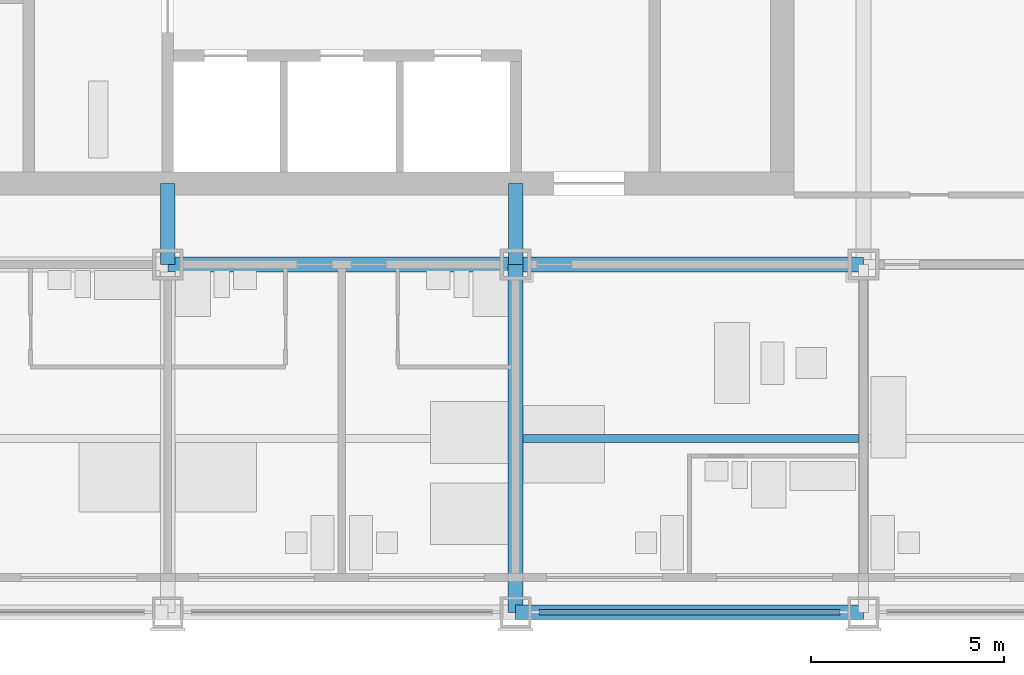
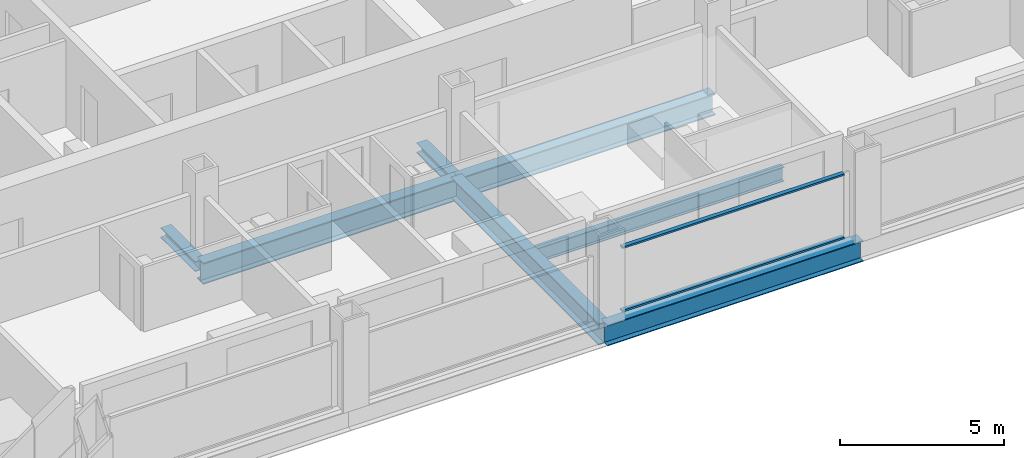
# One storey, part 3 of 18: 5 beams, 4 members, 1 element without a shape of its own.
"""IFC4 building model written with IfcOpenShell, lengths in metres."""

from ifc_helpers import new_model, si_unit, direction, frame, origin, origin_2d, place, context, subcontext, project, spatial, rectangle, i_section, extrude, material, material_profile, profile_set, type_object, element, aggregate, save


model = new_model("IFC4")

# Units and contexts
model_context = context("Model", 3, precision=1e-05, world=origin(), true_north=direction((0.0, 1.0)))
body_context = subcontext(model_context, "Body", "Model", "MODEL_VIEW")
ifc_project = project(units=[si_unit("LENGTHUNIT", "METRE"), si_unit("AREAUNIT", "SQUARE_METRE"), si_unit("VOLUMEUNIT", "CUBIC_METRE"), si_unit("PLANEANGLEUNIT", "RADIAN"), si_unit("MASSUNIT", "GRAM", prefix="KILO")], contexts=[model_context])

# Site, building, storey
site_placement = place(None, origin())
site = spatial("IfcSite", under=ifc_project, at=site_placement, CompositionType="ELEMENT")
building_placement = place(site_placement, origin())
building = spatial("IfcBuilding", under=site, at=building_placement, Name="Loomwork Tower", CompositionType="ELEMENT")
storey_placement = place(building_placement, frame((0.0, 0.0, 62.0)))
storey = spatial("IfcBuildingStorey", under=building, at=storey_placement, Name="L15", CompositionType="ELEMENT", Elevation=62.0)

# Beams
ifc_material_1 = material(Name="Steel ASTM A992", Category="steel")
ifc_material_profile_1 = material_profile(ifc_material_1, i_section(OverallWidth=0.383544921875, OverallDepth=0.794921875, WebThickness=0.02099609375, FlangeThickness=0.0380859375, at=origin_2d()), Name="W30x235")
ifc_profile_set_1 = profile_set([ifc_material_profile_1], Name="Steel ASTM A992")
beam_type_1 = type_object("IfcBeamType", Name="CORE FLANK GIRDER W30x235", PredefinedType="BEAM", material=ifc_profile_set_1)
for number, where, z_axis, x_axis, name in (
    (1, (18.0, 9.0, -0.597412109375), (1.0, 0.0, 0.0), (0.0, 1.0, 0.0), "Core Flank Girder E/4-E/5 L15"),
    (2, (27.0, 9.0, -0.597412109375), (1.0, 0.0, 0.0), (0.0, 1.0, 0.0), "Core Flank Girder E/5-E/6 L15"),
    (3, (27.0, 0.0, -0.597412109375), (0.0, 1.0, 0.0), (-1.0, 0.0, 0.0), "Core Flank Girder D/5-E/5 L15"),
):
    element("IfcBeam", number, at=place(storey_placement, frame(where, z_axis=z_axis, x_axis=x_axis)), inside=storey, type_object=beam_type_1, Name=name, PredefinedType="BEAM", context=body_context, shape_type="SweptSolid", body=[
        extrude(i_section(OverallWidth=0.383544921875, OverallDepth=0.794921875, WebThickness=0.02099609375, FlangeThickness=0.0380859375, at=origin_2d()), origin(), (0.0, 0.0, 1.0), 9.0),
    ])

# Members
ifc_material_2 = material(Name="Steel ASTM A992", Category="steel")
ifc_material_profile_2 = material_profile(ifc_material_2, i_section(OverallWidth=0.373291015625, OverallDepth=0.373291015625, WebThickness=0.016357421875, FlangeThickness=0.026123046875, at=origin_2d()), Name="W14x132")
ifc_profile_set_2 = profile_set([ifc_material_profile_2], Name="Steel ASTM A992")
member_type_1 = type_object("IfcMemberType", Name="CORE LINK STRUT W14x132", PredefinedType="STRUT", material=ifc_profile_set_2)
for number, where, z_axis, x_axis, name in (
    (4, (27.0, 9.0, -0.38671875), (0.0, 1.0, 0.0), (-1.0, 0.0, 0.0), "Core link strut E/5-27.000,11.100 L15"),
    (5, (18.0, 9.0, -0.38671875), (0.0, 1.0, 0.0), (-1.0, 0.0, 0.0), "Core link strut E/4-18.000,11.100 L15"),
):
    element("IfcMember", number, at=place(storey_placement, frame(where, z_axis=z_axis, x_axis=x_axis)), inside=storey, type_object=member_type_1, Name=name, PredefinedType="STRUT", context=body_context, shape_type="SweptSolid", body=[
        extrude(i_section(OverallWidth=0.373291015625, OverallDepth=0.373291015625, WebThickness=0.016357421875, FlangeThickness=0.026123046875, at=origin_2d()), origin(), (0.0, 0.0, 1.0), 2.10009765625),
    ])

# Beam
ifc_material_3 = material(Name="Steel ASTM A992", Category="steel")
ifc_material_profile_3 = material_profile(ifc_material_3, i_section(OverallWidth=0.2109375, OverallDepth=0.53857421875, WebThickness=0.011474609375, FlangeThickness=0.018798828125, at=origin_2d()), Name="W21x73")
ifc_profile_set_3 = profile_set([ifc_material_profile_3], Name="Steel ASTM A992")
beam_type_2 = type_object("IfcBeamType", Name="FLOOR JOIST W21x73", PredefinedType="JOIST", material=ifc_profile_set_3)
beam_1_placement = place(storey_placement, frame((27.19091796875, 4.5, -0.46923828125), z_axis=(1.0, 0.0, 0.0), x_axis=(0.0, 1.0, 0.0)))
element("IfcBeam", 6, at=beam_1_placement, inside=storey, type_object=beam_type_2, Name="Floor Joist 27.000,4.500-36.000,4.500 L15", PredefinedType="JOIST", context=body_context, shape_type="SweptSolid", body=[
    extrude(i_section(OverallWidth=0.2109375, OverallDepth=0.53857421875, WebThickness=0.011474609375, FlangeThickness=0.018798828125, at=origin_2d()), origin(), (0.0, 0.0, 1.0), 8.676025390625),
])

# Curtain wall, members
ifc_material_4 = material(Name="Aluminium curtain wall frame", Category="aluminium")
curtain_wall_type = type_object("IfcCurtainWallType", Name="Outer skin glazing hotel", PredefinedType="NOTDEFINED", material=ifc_material_4)
curtain_wall_placement = place(storey_placement, origin())
curtain_wall = element("IfcCurtainWall", 7, at=curtain_wall_placement, inside=storey, type_object=curtain_wall_type, Name="Outer skin glazing hotel cw/S-27", PredefinedType="NOTDEFINED")
ifc_material_5 = material(Name="Aluminium curtain wall frame", Category="aluminium")
ifc_material_profile_4 = material_profile(ifc_material_5, rectangle(XDim=0.14990234375, YDim=0.06494140625, at=origin_2d()), Name="AL 65x150")
ifc_profile_set_4 = profile_set([ifc_material_profile_4], Name="Aluminium curtain wall frame")
member_type_2 = type_object("IfcMemberType", Name="Outer skin glazing hotel transom", PredefinedType="USERDEFINED", material=ifc_profile_set_4)
member_1_placement = place(storey_placement, frame((27.60009765625, 0.0, 0.032470703125), z_axis=(1.0, 0.0, 0.0), x_axis=(0.0, 1.0, 0.0)))
member_1 = element("IfcMember", 8, at=member_1_placement, type_object=member_type_2, Name="CW1 transom 1.1", ObjectType="TRANSOM", PredefinedType="USERDEFINED", context=body_context, shape_type="SweptSolid", body=[
    extrude(rectangle(XDim=0.14990234375, YDim=0.06494140625, at=origin_2d()), origin(), (0.0, 0.0, 1.0), 7.7998046875),
])
member_2_placement = place(storey_placement, frame((27.60009765625, 0.0, 2.3876953125), z_axis=(1.0, 0.0, 0.0), x_axis=(0.0, 1.0, 0.0)))
member_2 = element("IfcMember", 9, at=member_2_placement, type_object=member_type_2, Name="CW1 transom 1.2", ObjectType="TRANSOM", PredefinedType="USERDEFINED", context=body_context, shape_type="SweptSolid", body=[
    extrude(rectangle(XDim=0.14990234375, YDim=0.06494140625, at=origin_2d()), origin(), (0.0, 0.0, 1.0), 7.7998046875),
])
aggregate(curtain_wall, [member_1, member_2])

# Beam
ifc_material_6 = material(Name="Steel ASTM A992", Category="steel")
ifc_material_profile_5 = material_profile(ifc_material_6, i_section(OverallWidth=0.381103515625, OverallDepth=0.77978515625, WebThickness=0.01806640625, FlangeThickness=0.0302734375, at=origin_2d()), Name="W30x191")
ifc_profile_set_5 = profile_set([ifc_material_profile_5], Name="Steel ASTM A992")
beam_type_3 = type_object("IfcBeamType", Name="SPANDREL GIRDER W30x191", PredefinedType="SPANDREL", material=ifc_profile_set_5)
beam_2_placement = place(storey_placement, frame((27.0, 0.0, -0.58984375), z_axis=(1.0, 0.0, 0.0), x_axis=(0.0, 1.0, 0.0)))
element("IfcBeam", 10, at=beam_2_placement, inside=storey, type_object=beam_type_3, Name="Spandrel Girder D/5-D/6 L15", PredefinedType="SPANDREL", context=body_context, shape_type="SweptSolid", body=[
    extrude(i_section(OverallWidth=0.381103515625, OverallDepth=0.77978515625, WebThickness=0.01806640625, FlangeThickness=0.0302734375, at=origin_2d()), origin(), (0.0, 0.0, 1.0), 9.0),
])

save(model, "model.ifc")
